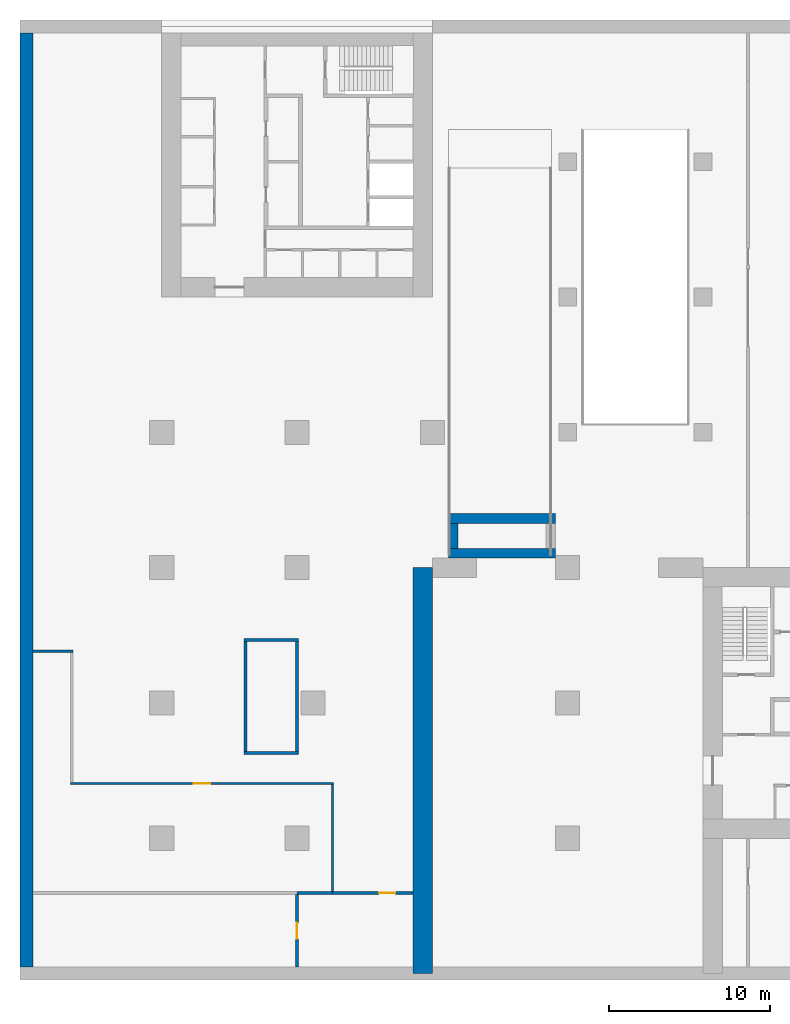
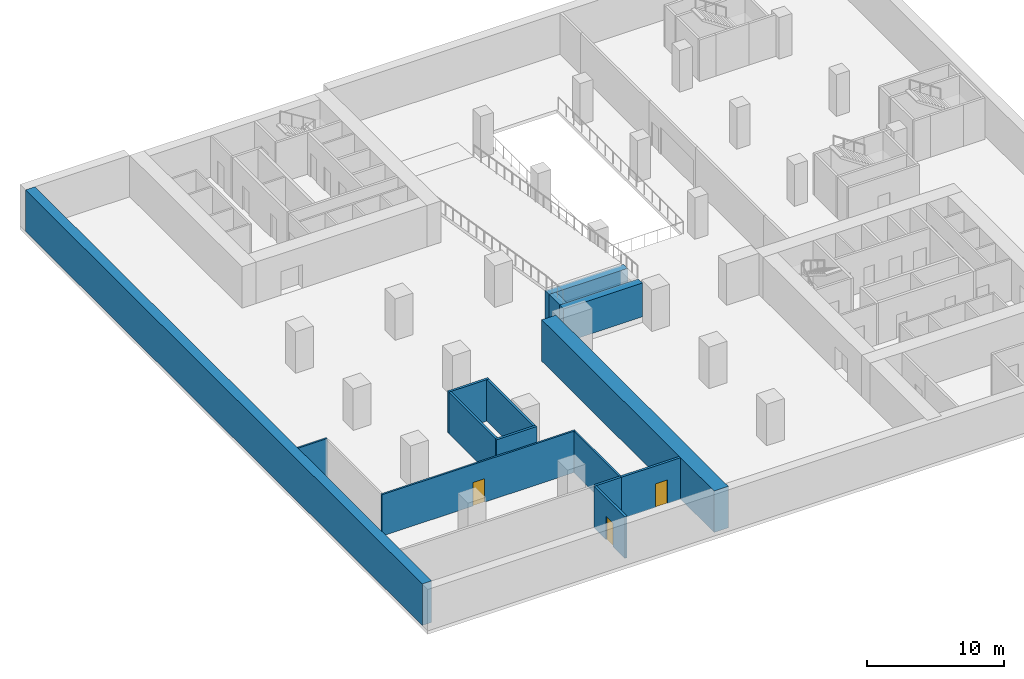
# One storey, part 2 of 7: 15 walls, 3 doors, 3 openings.
"""IFC4 building model written with IfcOpenShell, lengths in metres."""

from ifc_helpers import new_model, si_unit, direction, frame, frame_2d, origin, place, context, subcontext, project, spatial, rectangle, extrude, material, layer, layer_set, type_object, element, fill, save


model = new_model("IFC4")

# Units and contexts
model_context = context("Model", 3, precision=1e-05, world=origin(), true_north=direction((0.0, 1.0)))
body_context = subcontext(model_context, "Body", "Model", "MODEL_VIEW")
ifc_project = project(units=[si_unit("LENGTHUNIT", "METRE"), si_unit("AREAUNIT", "SQUARE_METRE"), si_unit("VOLUMEUNIT", "CUBIC_METRE"), si_unit("PLANEANGLEUNIT", "RADIAN"), si_unit("MASSUNIT", "GRAM", prefix="KILO")], contexts=[model_context])

# Site, building, storey
site_placement = place(None, origin())
site = spatial("IfcSite", under=ifc_project, at=site_placement, CompositionType="ELEMENT")
building_placement = place(site_placement, origin())
building = spatial("IfcBuilding", under=site, at=building_placement, Name="Vermilion Gate Residences", CompositionType="ELEMENT")
storey_placement = place(building_placement, frame((0.0, 0.0, -12.0)))
storey = spatial("IfcBuildingStorey", under=building, at=storey_placement, Name="B3", CompositionType="ELEMENT", Elevation=-12.0)

# Wall, opening, door
ifc_material_1 = material(Name="Concrete blockwork", Category="masonry")
ifc_layer_1 = layer(ifc_material_1, 0.199951171875)
ifc_layer_set_1 = layer_set([ifc_layer_1], Name="FIRE WALL 200 EI 120 (AMENITY)")
wall_type_1 = type_object("IfcWallType", Name="FIRE WALL 200 EI 120 (AMENITY)", PredefinedType="PARTITIONING", material=ifc_layer_set_1)
wall_1_placement = place(storey_placement, frame((16.800048828125, 0.39990234375, 0.0), z_axis=(0.0, 0.0, 1.0), x_axis=(0.0, 1.0, 0.0)))
wall_1 = element("IfcWall", 1, at=wall_1_placement, inside=storey, type_object=wall_type_1, Name="Fire-resisting wall 5", PredefinedType="PARTITIONING", context=body_context, shape_type="SweptSolid", body=[
    extrude(rectangle(XDim=4.5, YDim=0.199951171875, at=frame_2d((2.25, 0.0))), origin(), (0.0, 0.0, 1.0), 3.699951171875),
])
opening_1_placement = place(wall_1_placement, frame((1.75, 0.0, 0.0)))
opening_1 = element("IfcOpeningElement", 2, at=opening_1_placement, cuts=wall_1, Name="Opening DMB3001", PredefinedType="OPENING", context=body_context, shape_type="SweptSolid", body=[
    extrude(rectangle(XDim=1.0, YDim=2.10009765625, at=frame_2d((0.5, 1.050048828125))), frame((0.0, 0.10986328125, 0.0), z_axis=(0.0, -1.0, 0.0), x_axis=(1.0, 0.0, 0.0)), (0.0, 0.0, 1.0), 0.219970703125),
])
ifc_material_2 = material(Name="Steel", Category="steel")
door_type_1 = type_object("IfcDoorType", Name="DOOR 1000 X 2100 FD60 (AMENITY)", OperationType="SINGLE_SWING_LEFT", PredefinedType="DOOR", material=ifc_material_2)
door_1_placement = place(opening_1_placement, frame((1.0, 0.0, 0.0), z_axis=(0.0, 0.0, 1.0), x_axis=(-1.0, 0.0, 0.0)))
door_1 = element("IfcDoor", 3, at=door_1_placement, inside=storey, type_object=door_type_1, Name="Door B3 1", OperationType="SINGLE_SWING_RIGHT", OverallHeight=2.10009765625, OverallWidth=1.0, PredefinedType="DOOR", context=body_context, shape_type="SweptSolid", body=[
    extrude(rectangle(XDim=1.0, YDim=2.10009765625, at=frame_2d((0.5, 1.050048828125))), frame((0.0, 0.02490234375, 0.0), z_axis=(0.0, -1.0, 0.0), x_axis=(1.0, 0.0, 0.0)), (0.0, 0.0, 1.0), 0.050048828125),
])
fill(opening_1, door_1)

# Wall
wall_2_placement = place(storey_placement, frame((16.800048828125, 5.0, 0.0), z_axis=(0.0, 0.0, 1.0), x_axis=(1.0, 0.0, 0.0)))
element("IfcWall", 4, at=wall_2_placement, inside=storey, type_object=wall_type_1, Name="Fire-resisting wall 6", PredefinedType="PARTITIONING", context=body_context, shape_type="SweptSolid", body=[
    extrude(rectangle(XDim=2.199951171875, YDim=0.199951171875, at=frame_2d((1.10009765625, 0.0))), origin(), (0.0, 0.0, 1.0), 3.699951171875),
])

# Wall, opening, door
wall_3_placement = place(storey_placement, frame((19.0, 5.0, 0.0), z_axis=(0.0, 0.0, 1.0), x_axis=(1.0, 0.0, 0.0)))
wall_3 = element("IfcWall", 5, at=wall_3_placement, inside=storey, type_object=wall_type_1, Name="Fire-resisting wall 8", PredefinedType="PARTITIONING", context=body_context, shape_type="SweptSolid", body=[
    extrude(rectangle(XDim=5.0, YDim=0.199951171875, at=frame_2d((2.5, 0.0))), origin(), (0.0, 0.0, 1.0), 3.699951171875),
])
opening_2_placement = place(wall_3_placement, frame((2.89990234375, 0.0, 0.0)))
opening_2 = element("IfcOpeningElement", 6, at=opening_2_placement, cuts=wall_3, Name="Opening DMB3002", PredefinedType="OPENING", context=body_context, shape_type="SweptSolid", body=[
    extrude(rectangle(XDim=1.0, YDim=2.10009765625, at=frame_2d((0.5, 1.050048828125))), frame((0.0, 0.10986328125, 0.0), z_axis=(0.0, -1.0, 0.0), x_axis=(1.0, 0.0, 0.0)), (0.0, 0.0, 1.0), 0.219970703125),
])
door_2_placement = place(opening_2_placement, origin())
door_2 = element("IfcDoor", 7, at=door_2_placement, inside=storey, type_object=door_type_1, Name="Door B3 2", OperationType="SINGLE_SWING_RIGHT", OverallHeight=2.10009765625, OverallWidth=1.0, PredefinedType="DOOR", context=body_context, shape_type="SweptSolid", body=[
    extrude(rectangle(XDim=1.0, YDim=2.10009765625, at=frame_2d((0.5, 1.050048828125))), frame((0.0, 0.02490234375, 0.0), z_axis=(0.0, -1.0, 0.0), x_axis=(1.0, 0.0, 0.0)), (0.0, 0.0, 1.0), 0.050048828125),
])
fill(opening_2, door_2)

# Wall
ifc_material_3 = material(Name="Gypsum board on steel studs", Category="steel")
ifc_layer_2 = layer(ifc_material_3, 0.14990234375)
ifc_layer_set_2 = layer_set([ifc_layer_2], Name="PARTITION 150 EI 60 (AMENITY)")
wall_type_2 = type_object("IfcWallType", Name="PARTITION 150 EI 60 (AMENITY)", PredefinedType="PARTITIONING", material=ifc_layer_set_2)
wall_4_placement = place(storey_placement, frame((0.39990234375, 20.0, 0.0), z_axis=(0.0, 0.0, 1.0), x_axis=(1.0, 0.0, 0.0)))
element("IfcWall", 8, at=wall_4_placement, inside=storey, type_object=wall_type_2, Name="Partition 2", PredefinedType="PARTITIONING", context=body_context, shape_type="SweptSolid", body=[
    extrude(rectangle(XDim=2.47509765625, YDim=0.14990234375, at=frame_2d((1.237548828125, 0.0))), origin(), (0.0, 0.0, 1.0), 3.699951171875),
])

# Wall, opening, door
wall_5_placement = place(storey_placement, frame((2.72509765625, 11.800048828125, 0.0), z_axis=(0.0, 0.0, 1.0), x_axis=(1.0, 0.0, 0.0)))
wall_5 = element("IfcWall", 9, at=wall_5_placement, inside=storey, type_object=wall_type_2, Name="Partition 4", PredefinedType="PARTITIONING", context=body_context, shape_type="SweptSolid", body=[
    extrude(rectangle(XDim=16.349853515625, YDim=0.14990234375, at=frame_2d((8.1748046875, 0.0))), origin(), (0.0, 0.0, 1.0), 3.699951171875),
])
opening_3_placement = place(wall_5_placement, frame((7.675048828125, 0.0, 0.0)))
opening_3 = element("IfcOpeningElement", 10, at=opening_3_placement, cuts=wall_5, Name="Opening DMB3010", PredefinedType="OPENING", context=body_context, shape_type="SweptSolid", body=[
    extrude(rectangle(XDim=1.0, YDim=2.10009765625, at=frame_2d((0.5, 1.050048828125))), frame((0.0, 0.0849609375, 0.0), z_axis=(0.0, -1.0, 0.0), x_axis=(1.0, 0.0, 0.0)), (0.0, 0.0, 1.0), 0.169921875),
])
ifc_material_4 = material(Name="Steel", Category="steel")
door_type_2 = type_object("IfcDoorType", Name="DOOR 1000 X 2100 FD30 (AMENITY)", OperationType="SINGLE_SWING_LEFT", PredefinedType="DOOR", material=ifc_material_4)
door_3_placement = place(opening_3_placement, frame((1.0, 0.0, 0.0), z_axis=(0.0, 0.0, 1.0), x_axis=(-1.0, 0.0, 0.0)))
door_3 = element("IfcDoor", 11, at=door_3_placement, inside=storey, type_object=door_type_2, Name="Door B3 10", OperationType="SINGLE_SWING_RIGHT", OverallHeight=2.10009765625, OverallWidth=1.0, PredefinedType="DOOR", context=body_context, shape_type="SweptSolid", body=[
    extrude(rectangle(XDim=1.0, YDim=2.10009765625, at=frame_2d((0.5, 1.050048828125))), frame((0.0, 0.02490234375, 0.0), z_axis=(0.0, -1.0, 0.0), x_axis=(1.0, 0.0, 0.0)), (0.0, 0.0, 1.0), 0.050048828125),
])
fill(opening_3, door_3)

# Walls
wall_6_placement = place(storey_placement, frame((19.0, 5.10009765625, 0.0), z_axis=(0.0, 0.0, 1.0), x_axis=(0.0, 1.0, 0.0)))
element("IfcWall", 12, at=wall_6_placement, inside=storey, type_object=wall_type_2, Name="Partition 7", PredefinedType="PARTITIONING", context=body_context, shape_type="SweptSolid", body=[
    extrude(rectangle(XDim=6.625, YDim=0.14990234375, at=frame_2d((3.3125, 0.0))), origin(), (0.0, 0.0, 1.0), 3.699951171875),
])
ifc_material_5 = material(Name="Concrete C40", Category="concrete")
ifc_layer_3 = layer(ifc_material_5, 0.60009765625)
ifc_layer_set_3 = layer_set([ifc_layer_3], Name="RAMP ABUTMENT WALL 600 (AMENITY)")
wall_type_3 = type_object("IfcWallType", Name="RAMP ABUTMENT WALL 600 (AMENITY)", PredefinedType="SOLIDWALL", material=ifc_layer_set_3)
for number, where, z_axis, x_axis, name in (
    (13, (26.199951171875, 28.25, 0.5), (0.0, 0.0, 1.0), (1.0, 0.0, 0.0), "Ramp 3 abutment springing wall"),
    (14, (26.199951171875, 26.10009765625, 0.5), (0.0, 0.0, 1.0), (1.0, 0.0, 0.0), "Ramp 3 abutment head wall"),
):
    element("IfcWall", number, at=place(storey_placement, frame(where, z_axis=z_axis, x_axis=x_axis)), inside=storey, type_object=wall_type_3, Name=name, PredefinedType="SOLIDWALL", context=body_context, shape_type="SweptSolid", body=[
        extrude(rectangle(XDim=6.650146484375, YDim=0.60009765625, at=frame_2d((3.3251953125, 0.0))), origin(), (0.0, 0.0, 1.0), 3.02001953125),
    ])
wall_7_placement = place(storey_placement, frame((26.5, 26.39990234375, 0.5), z_axis=(0.0, 0.0, 1.0), x_axis=(0.0, 1.0, 0.0)))
element("IfcWall", 15, at=wall_7_placement, inside=storey, type_object=wall_type_3, Name="Ramp 3 abutment west wing wall", PredefinedType="SOLIDWALL", context=body_context, shape_type="SweptSolid", body=[
    extrude(rectangle(XDim=1.550048828125, YDim=0.60009765625, at=frame_2d((0.77490234375, 0.0))), origin(), (0.0, 0.0, 1.0), 3.02001953125),
])
ifc_material_6 = material(Name="Concrete C60", Category="concrete")
ifc_layer_4 = layer(ifc_material_6, 0.199951171875)
ifc_layer_set_4 = layer_set([ifc_layer_4], Name="RC CORE INTERNAL WALL 200 C60")
wall_type_4 = type_object("IfcWallType", Name="RC CORE INTERNAL WALL 200 C60", PredefinedType="SHEAR", material=ifc_layer_set_4)
for number, where, z_axis, x_axis, name in (
    (16, (13.60009765625, 13.800048828125, 0.0), (0.0, 0.0, 1.0), (0.0, 1.0, 0.0), "Apex stair wall W B3"),
    (17, (16.800048828125, 13.800048828125, 0.0), (0.0, 0.0, 1.0), (0.0, 1.0, 0.0), "Apex stair wall E B3"),
):
    element("IfcWall", number, at=place(storey_placement, frame(where, z_axis=z_axis, x_axis=x_axis)), inside=storey, type_object=wall_type_4, Name=name, PredefinedType="SHEAR", context=body_context, shape_type="SweptSolid", body=[
        extrude(rectangle(XDim=6.800048828125, YDim=0.199951171875, at=frame_2d((3.39990234375, 0.0))), origin(), (0.0, 0.0, 1.0), 3.699951171875),
    ])
for number, where, z_axis, x_axis, name in (
    (18, (13.5, 13.699951171875, 0.0), (0.0, 0.0, 1.0), (1.0, 0.0, 0.0), "Apex stair wall S B3"),
    (19, (13.5, 20.699951171875, 0.0), (0.0, 0.0, 1.0), (1.0, 0.0, 0.0), "Apex stair wall N B3"),
):
    element("IfcWall", number, at=place(storey_placement, frame(where, z_axis=z_axis, x_axis=x_axis)), inside=storey, type_object=wall_type_4, Name=name, PredefinedType="SHEAR", context=body_context, shape_type="SweptSolid", body=[
        extrude(rectangle(XDim=3.39990234375, YDim=0.199951171875, at=frame_2d((1.699951171875, 0.0))), origin(), (0.0, 0.0, 1.0), 3.699951171875),
    ])
ifc_material_7 = material(Name="Concrete C40", Category="concrete")
ifc_layer_5 = layer(ifc_material_7, 0.800048828125)
ifc_layer_set_5 = layer_set([ifc_layer_5], Name="RC DIAPHRAGM WALL 800 C40")
wall_type_5 = type_object("IfcWallType", Name="RC DIAPHRAGM WALL 800 C40", PredefinedType="SOLIDWALL", material=ifc_layer_set_5)
wall_8_placement = place(storey_placement, frame((0.0, 0.39990234375, 0.0), z_axis=(0.0, 0.0, 1.0), x_axis=(0.0, 1.0, 0.0)))
element("IfcWall", 20, at=wall_8_placement, inside=storey, type_object=wall_type_5, Name="Diaphragm wall B3 5", PredefinedType="SOLIDWALL", context=body_context, shape_type="SweptSolid", body=[
    extrude(rectangle(XDim=58.0, YDim=0.800048828125, at=frame_2d((29.0, 0.0))), origin(), (0.0, 0.0, 1.0), 3.699951171875),
])
ifc_material_8 = material(Name="Concrete C70", Category="concrete")
ifc_layer_6 = layer(ifc_material_8, 1.199951171875)
ifc_layer_set_6 = layer_set([ifc_layer_6], Name="RC GATE PIER WALL 1200 C70")
wall_type_6 = type_object("IfcWallType", Name="RC GATE PIER WALL 1200 C70", PredefinedType="SHEAR", material=ifc_layer_set_6)
wall_9_placement = place(storey_placement, frame((24.60009765625, 0.0, 0.0), z_axis=(0.0, 0.0, 1.0), x_axis=(0.0, 1.0, 0.0)))
element("IfcWall", 21, at=wall_9_placement, inside=storey, type_object=wall_type_6, Name="Gate pier wall W B3", PredefinedType="SHEAR", context=body_context, shape_type="SweptSolid", body=[
    extrude(rectangle(XDim=25.199951171875, YDim=1.199951171875, at=frame_2d((12.60009765625, 0.0))), origin(), (0.0, 0.0, 1.0), 3.699951171875),
])

save(model, "model.ifc")
